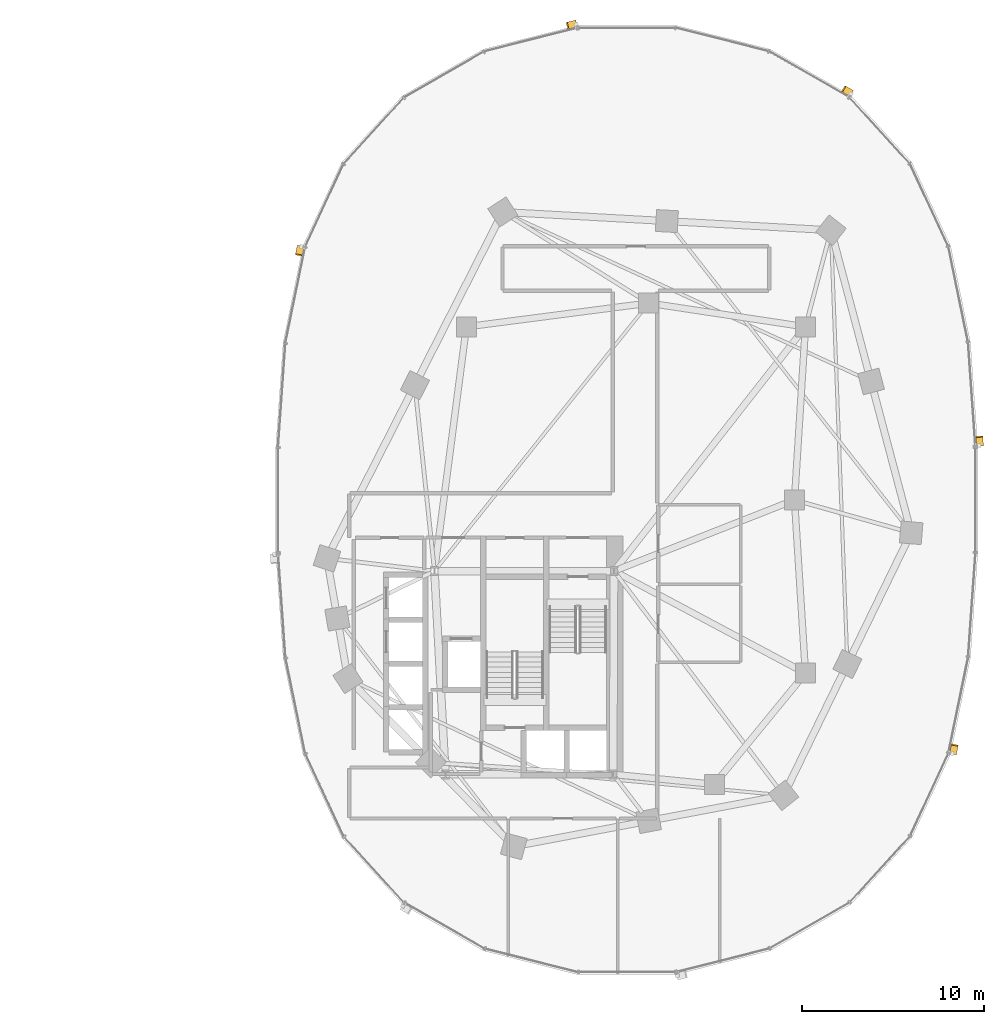
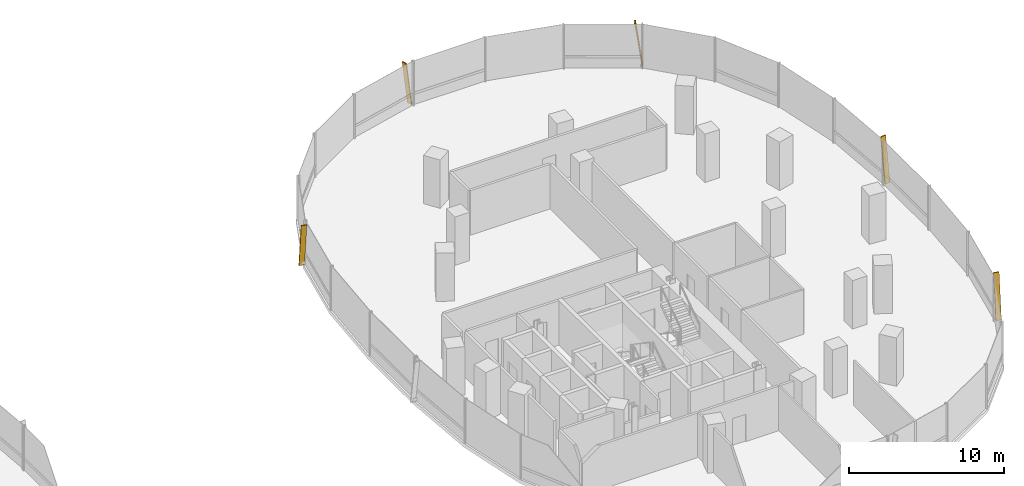
# One storey, part 21 of 21: 5 shading devices.
"""IFC4 building model written with IfcOpenShell, lengths in metres."""

from ifc_helpers import new_model, si_unit, direction, frame, origin, origin_2d, place, context, subcontext, project, spatial, rectangle, extrude, material, material_profile, profile_set, type_object, element, save


model = new_model("IFC4")

# Units and contexts
model_context = context("Model", 3, precision=1e-05, world=origin(), true_north=direction((0.0, 1.0)))
body_context = subcontext(model_context, "Body", "Model", "MODEL_VIEW")
ifc_project = project(units=[si_unit("LENGTHUNIT", "METRE"), si_unit("AREAUNIT", "SQUARE_METRE"), si_unit("VOLUMEUNIT", "CUBIC_METRE"), si_unit("PLANEANGLEUNIT", "RADIAN"), si_unit("MASSUNIT", "GRAM", prefix="KILO"), si_unit("THERMODYNAMICTEMPERATUREUNIT", "KELVIN"), si_unit("POWERUNIT", "WATT")], contexts=[model_context])

# Site, building, storey
site_placement = place(None, origin())
site = spatial("IfcSite", under=ifc_project, at=site_placement, CompositionType="ELEMENT")
building_placement = place(site_placement, origin())
building = spatial("IfcBuilding", under=site, at=building_placement, Name="Cundina Bronze Exchange", CompositionType="ELEMENT")
storey_placement = place(building_placement, frame((0.0, 0.0, 69.60009765625)))
storey = spatial("IfcBuildingStorey", under=building, at=storey_placement, Name="L17", CompositionType="ELEMENT", Elevation=69.60009765625)

# Shading devices
ifc_material = material(Name="Anodised Bronze Aluminium 6063-T6", Category="aluminium")
ifc_material_profile = material_profile(ifc_material, rectangle(XDim=0.070068359375, YDim=0.3798828125, at=origin_2d()), Name="FIN70X380", Category="aluminium")
ifc_profile_set = profile_set([ifc_material_profile], Name="Anodised Bronze Aluminium 6063-T6")
shading_device_type = type_object("IfcShadingDeviceType", Name="SHD-FIN-BRZ380", PredefinedType="USERDEFINED", material=ifc_profile_set)
for number, where, z_axis, x_axis, name in (
    (1, (51.3740234375, 2.993896484375, 0.02001953125), (-0.009645159174, 0.137059109714, 0.990515911709), (0.06953288269, -0.988072340253, 0.137398066402), "L17 Diagonal Bronze Solar Fin 1"),
    (2, (44.314208984375, 22.314208984375, 0.02001953125), (-0.119166378275, 0.06842456559, 0.990513731915), (0.85898178632, -0.493221799887, 0.137413779831), "L17 Diagonal Bronze Solar Fin 5"),
    (3, (29.212646484375, 26.138427734375, 0.02001953125), (-0.133214830938, -0.033688115694, 0.990514472221), (0.960284642503, 0.242842181368, 0.137408443412), "L17 Diagonal Bronze Solar Fin 1"),
    (4, (14.10400390625, 13.911865234375, 0.02001953125), (-0.027747134956, -0.134612045151, 0.990509815096), (0.199966585563, 0.970114971774, 0.137442010309), "L17 Diagonal Bronze Solar Fin 5"),
    (5, (49.89599609375, -13.911865234375, 0.02001953125), (0.027747134956, 0.134612045151, 0.990509815096), (-0.199966585563, -0.970114971774, 0.137442010309), "L17 Diagonal Bronze Solar Fin 5"),
):
    element("IfcShadingDevice", number, at=place(storey_placement, frame(where, z_axis=z_axis, x_axis=x_axis)), inside=storey, type_object=shading_device_type, Name=name, ObjectType="FIN", PredefinedType="USERDEFINED", context=body_context, shape_type="SweptSolid", body=[
        extrude(rectangle(XDim=0.070068359375, YDim=0.3798828125, at=origin_2d()), origin(), (0.0, 0.0, 1.0), 3.4931640625),
    ])

save(model, "model.ifc")
